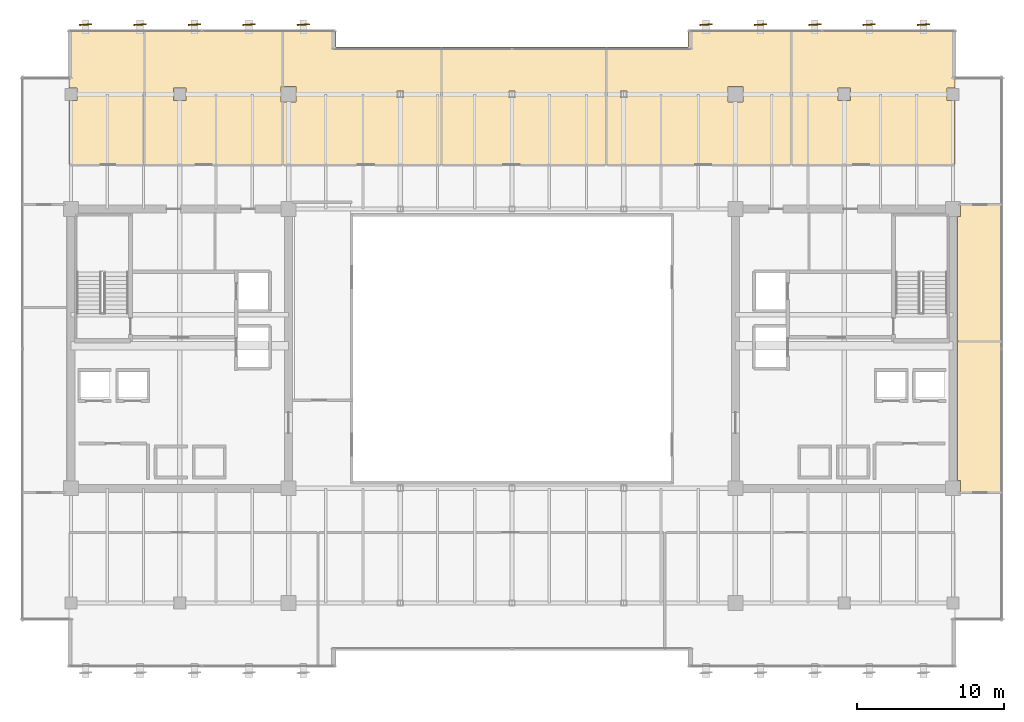
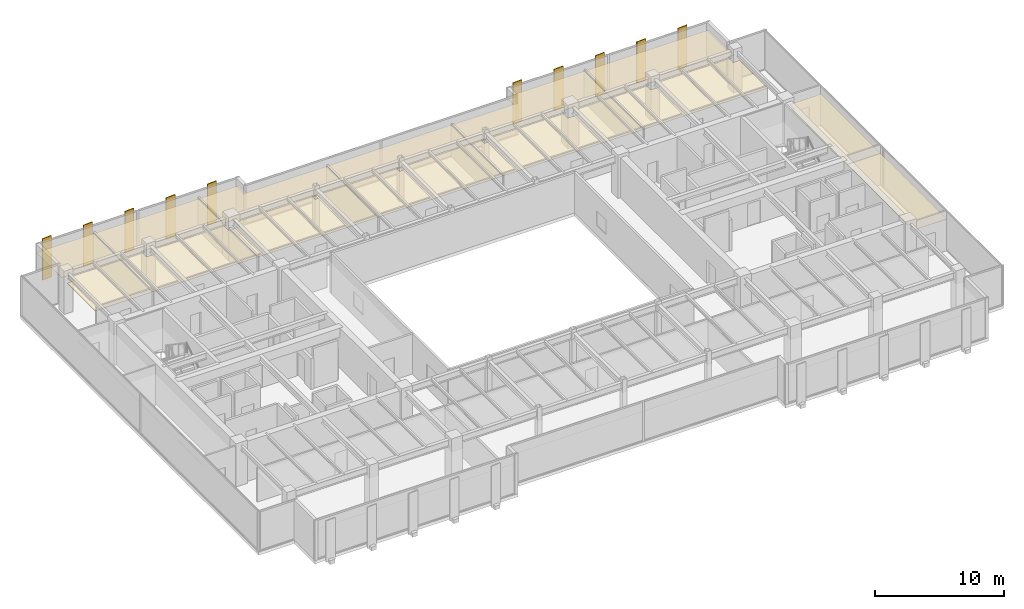
# One storey, part 35 of 35: 10 shading devices, 8 coverings.
"""IFC4 building model written with IfcOpenShell, lengths in metres."""

from ifc_helpers import new_model, si_unit, direction, frame, origin, origin_2d, place, context, subcontext, project, spatial, polyline, rectangle, outline, extrude, source, transform, mapped, material, layer, layer_set, material_profile, profile_set, type_object, type_shapes, element, save


model = new_model("IFC4")

# Units and contexts
model_context = context("Model", 3, precision=1e-05, world=origin(), true_north=direction((0.0, 1.0)))
body_context = subcontext(model_context, "Body", "Model", "MODEL_VIEW")
ifc_project = project(units=[si_unit("LENGTHUNIT", "METRE"), si_unit("AREAUNIT", "SQUARE_METRE"), si_unit("VOLUMEUNIT", "CUBIC_METRE"), si_unit("PLANEANGLEUNIT", "RADIAN"), si_unit("MASSUNIT", "GRAM", prefix="KILO")], contexts=[model_context])

# Site, building, storey
site_placement = place(None, origin())
site = spatial("IfcSite", under=ifc_project, at=site_placement, CompositionType="ELEMENT")
building_placement = place(site_placement, origin())
building = spatial("IfcBuilding", under=site, at=building_placement, Name="Haelvirn Gate Laboratories", CompositionType="ELEMENT")
storey_placement = place(building_placement, frame((0.0, 0.0, 201.39990234375)))
storey = spatial("IfcBuildingStorey", under=building, at=storey_placement, Name="L48", CompositionType="ELEMENT", Elevation=201.39990234375)

# Coverings
ifc_material_1 = material(Name="Micro-perforated acoustic mineral-fibre laboratory ceiling")
ifc_layer = layer(ifc_material_1, 0.0400390625, Name="COV-CEIL-ACT")
ifc_layer_set = layer_set([ifc_layer], Name="Micro-perforated acoustic mineral-fibre laboratory ceiling")
covering_type = type_object("IfcCoveringType", Name="COV-CEIL-ACT", PredefinedType="CEILING", material=ifc_layer_set)
covering_1_placement = place(storey_placement, frame((0.0, 0.0, 2.880126953125)))
element("IfcCovering", 1, at=covering_1_placement, inside=storey, type_object=covering_type, Name="L48 Laboratory Acoustic Ceiling CEIL-SP-L48-N-01", PredefinedType="CEILING", context=body_context, shape_type="SweptSolid", body=[
    extrude(outline(polyline([(7.25, 45.949951171875), (12.3798828125, 45.949951171875), (12.3798828125, 36.820068359375), (7.25, 36.820068359375), (7.25, 41.179931640625), (7.820068359375, 41.179931640625), (7.820068359375, 42.02001953125), (7.25, 42.02001953125), (7.25, 45.949951171875)])), origin(), (0.0, 0.0, 1.0), 0.0400390625),
])
covering_2_placement = place(storey_placement, frame((0.0, 0.0, 2.880126953125)))
element("IfcCovering", 2, at=covering_2_placement, inside=storey, type_object=covering_type, Name="L48 Laboratory Acoustic Ceiling CEIL-SP-L48-N-02", PredefinedType="CEILING", context=body_context, shape_type="SweptSolid", body=[
    extrude(outline(polyline([(21.780029296875, 36.820068359375), (12.419921875, 36.820068359375), (12.419921875, 45.949951171875), (21.780029296875, 45.949951171875), (21.780029296875, 42.1201171875), (21.679931640625, 42.1201171875), (21.679931640625, 41.080078125), (21.780029296875, 41.080078125), (21.780029296875, 36.820068359375)]), holes=[polyline([(14.3798828125, 42.02001953125), (14.3798828125, 41.179931640625), (15.219970703125, 41.179931640625), (15.219970703125, 42.02001953125), (14.3798828125, 42.02001953125)])]), origin(), (0.0, 0.0, 1.0), 0.0400390625),
])
covering_3_placement = place(storey_placement, frame((0.0, 0.0, 2.880126953125)))
element("IfcCovering", 3, at=covering_3_placement, inside=storey, type_object=covering_type, Name="L48 Laboratory Acoustic Ceiling CEIL-SP-L48-N-03", PredefinedType="CEILING", context=body_context, shape_type="SweptSolid", body=[
    extrude(outline(polyline([(25.419921875, 45.949951171875), (25.419921875, 44.820068359375), (32.580078125, 44.820068359375), (32.580078125, 36.820068359375), (21.820068359375, 36.820068359375), (21.820068359375, 41.080078125), (22.719970703125, 41.080078125), (22.719970703125, 42.1201171875), (21.820068359375, 42.1201171875), (21.820068359375, 45.949951171875), (25.419921875, 45.949951171875)]), holes=[polyline([(30.02001953125, 41.820068359375), (29.580078125, 41.820068359375), (29.580078125, 41.3798828125), (30.02001953125, 41.3798828125), (30.02001953125, 41.820068359375)])]), origin(), (0.0, 0.0, 1.0), 0.0400390625),
])
covering_4_placement = place(storey_placement, frame((0.0, 0.0, 2.880126953125)))
element("IfcCovering", 4, at=covering_4_placement, inside=storey, type_object=covering_type, Name="L48 Laboratory Acoustic Ceiling CEIL-SP-L48-N-04", PredefinedType="CEILING", context=body_context, shape_type="SweptSolid", body=[
    extrude(outline(polyline([(43.780029296875, 44.820068359375), (43.780029296875, 36.820068359375), (32.6201171875, 36.820068359375), (32.6201171875, 44.820068359375), (43.780029296875, 44.820068359375)]), holes=[polyline([(37.6201171875, 41.820068359375), (37.179931640625, 41.820068359375), (37.179931640625, 41.3798828125), (37.6201171875, 41.3798828125), (37.6201171875, 41.820068359375)])]), origin(), (0.0, 0.0, 1.0), 0.0400390625),
])
covering_5_placement = place(storey_placement, frame((0.0, 0.0, 2.880126953125)))
element("IfcCovering", 5, at=covering_5_placement, inside=storey, type_object=covering_type, Name="L48 Laboratory Acoustic Ceiling CEIL-SP-L48-N-05", PredefinedType="CEILING", context=body_context, shape_type="SweptSolid", body=[
    extrude(outline(polyline([(49.3798828125, 45.949951171875), (56.3798828125, 45.949951171875), (56.3798828125, 36.820068359375), (43.820068359375, 36.820068359375), (43.820068359375, 44.820068359375), (49.3798828125, 44.820068359375), (49.3798828125, 45.949951171875)]), holes=[polyline([(52.080078125, 42.1201171875), (52.080078125, 41.080078125), (53.1201171875, 41.080078125), (53.1201171875, 42.1201171875), (52.080078125, 42.1201171875)]), polyline([(45.219970703125, 41.820068359375), (44.780029296875, 41.820068359375), (44.780029296875, 41.3798828125), (45.219970703125, 41.3798828125), (45.219970703125, 41.820068359375)])]), origin(), (0.0, 0.0, 1.0), 0.0400390625),
])
covering_6_placement = place(storey_placement, frame((0.0, 0.0, 2.880126953125)))
element("IfcCovering", 6, at=covering_6_placement, inside=storey, type_object=covering_type, Name="L48 Laboratory Acoustic Ceiling CEIL-SP-L48-N-06", PredefinedType="CEILING", context=body_context, shape_type="SweptSolid", body=[
    extrude(outline(polyline([(67.550048828125, 36.820068359375), (56.419921875, 36.820068359375), (56.419921875, 45.949951171875), (67.550048828125, 45.949951171875), (67.550048828125, 42.02001953125), (66.97998046875, 42.02001953125), (66.97998046875, 41.179931640625), (67.550048828125, 41.179931640625), (67.550048828125, 36.820068359375)]), holes=[polyline([(59.580078125, 42.02001953125), (59.580078125, 41.179931640625), (60.419921875, 41.179931640625), (60.419921875, 42.02001953125), (59.580078125, 42.02001953125)])]), origin(), (0.0, 0.0, 1.0), 0.0400390625),
])
covering_7_placement = place(storey_placement, frame((0.0, 0.0, 2.880126953125)))
element("IfcCovering", 7, at=covering_7_placement, inside=storey, type_object=covering_type, Name="L48 Laboratory Acoustic Ceiling CEIL-SP-L48-EZ3-S", PredefinedType="CEILING", context=body_context, shape_type="SweptSolid", body=[
    extrude(outline(polyline([(70.75, 24.7900390625), (70.75, 14.52490234375), (67.919921875, 14.52490234375), (67.919921875, 15.320068359375), (67.719970703125, 15.320068359375), (67.719970703125, 24.7900390625), (70.75, 24.7900390625)])), origin(), (0.0, 0.0, 1.0), 0.0400390625),
])
covering_8_placement = place(storey_placement, frame((0.0, 0.0, 2.880126953125)))
element("IfcCovering", 8, at=covering_8_placement, inside=storey, type_object=covering_type, Name="L48 Laboratory Acoustic Ceiling CEIL-SP-L48-EZ3-N", PredefinedType="CEILING", context=body_context, shape_type="SweptSolid", body=[
    extrude(outline(polyline([(70.75, 34.074951171875), (70.75, 24.81005859375), (67.719970703125, 24.81005859375), (67.719970703125, 33.280029296875), (67.919921875, 33.280029296875), (67.919921875, 34.074951171875), (70.75, 34.074951171875)])), origin(), (0.0, 0.0, 1.0), 0.0400390625),
])

# Shading devices
ifc_material_2 = material(Name="Extruded aluminium 6063-T6 (anodised bronze)", Category="aluminium")
ifc_material_profile = material_profile(ifc_material_2, rectangle(XDim=0.074951171875, YDim=0.85009765625, at=origin_2d()), Name="FIN-850x75")
ifc_profile_set = profile_set([ifc_material_profile], Name="Extruded aluminium 6063-T6 (anodised bronze)")
shading_device_type = type_object("IfcShadingDeviceType", Name="SHD-FIN-850", PredefinedType="USERDEFINED", material=ifc_profile_set)
shared_shape = source(origin(), body_context, "Body", "SweptSolid", [
    extrude(rectangle(XDim=0.074951171875, YDim=0.85009765625, at=origin_2d()), origin(), (0.0, 0.0, 1.0), 3.919921875),
])
type_shapes(shading_device_type, [shared_shape])
for number, where, z_axis, x_axis, name in (
    (9, (8.39990234375, 46.344970703125, -0.179931640625), (0.0, 0.0, 1.0), (-0.062790519529, 0.998026728428, 0.0), "L48 Fluted Bronze Vertical Fin N01"),
    (10, (12.10009765625, 46.344970703125, -0.179931640625), (0.0, 0.0, 1.0), (-0.062790519529, 0.998026728428, 0.0), "L48 Fluted Bronze Vertical Fin N02"),
    (11, (15.800048828125, 46.344970703125, -0.179931640625), (0.0, 0.0, 1.0), (-0.062790519529, 0.998026728428, 0.0), "L48 Fluted Bronze Vertical Fin N03"),
    (12, (19.5, 46.344970703125, -0.179931640625), (0.0, 0.0, 1.0), (-0.062790519529, 0.998026728428, 0.0), "L48 Fluted Bronze Vertical Fin N04"),
    (13, (23.199951171875, 46.344970703125, -0.179931640625), (0.0, 0.0, 1.0), (-0.062790519529, 0.998026728428, 0.0), "L48 Fluted Bronze Vertical Fin N05"),
    (14, (50.60009765625, 46.344970703125, -0.179931640625), (0.0, 0.0, 1.0), (-0.062790519529, 0.998026728428, 0.0), "L48 Fluted Bronze Vertical Fin N06"),
    (15, (54.300048828125, 46.344970703125, -0.179931640625), (0.0, 0.0, 1.0), (-0.062790519529, 0.998026728428, 0.0), "L48 Fluted Bronze Vertical Fin N07"),
    (16, (58.0, 46.344970703125, -0.179931640625), (0.0, 0.0, 1.0), (-0.062790519529, 0.998026728428, 0.0), "L48 Fluted Bronze Vertical Fin N08"),
    (17, (61.699951171875, 46.344970703125, -0.179931640625), (0.0, 0.0, 1.0), (-0.062790519529, 0.998026728428, 0.0), "L48 Fluted Bronze Vertical Fin N09"),
    (18, (65.39990234375, 46.344970703125, -0.179931640625), (0.0, 0.0, 1.0), (-0.062790519529, 0.998026728428, 0.0), "L48 Fluted Bronze Vertical Fin N10"),
):
    element("IfcShadingDevice", number, at=place(storey_placement, frame(where, z_axis=z_axis, x_axis=x_axis)), inside=storey, type_object=shading_device_type, Name=name, ObjectType="FIN", PredefinedType="USERDEFINED", context=body_context, shape_type="MappedRepresentation", body=[
        mapped(shared_shape, transform((0.0, 0.0, 0.0), scale=1.0)),
    ])

save(model, "model.ifc")
